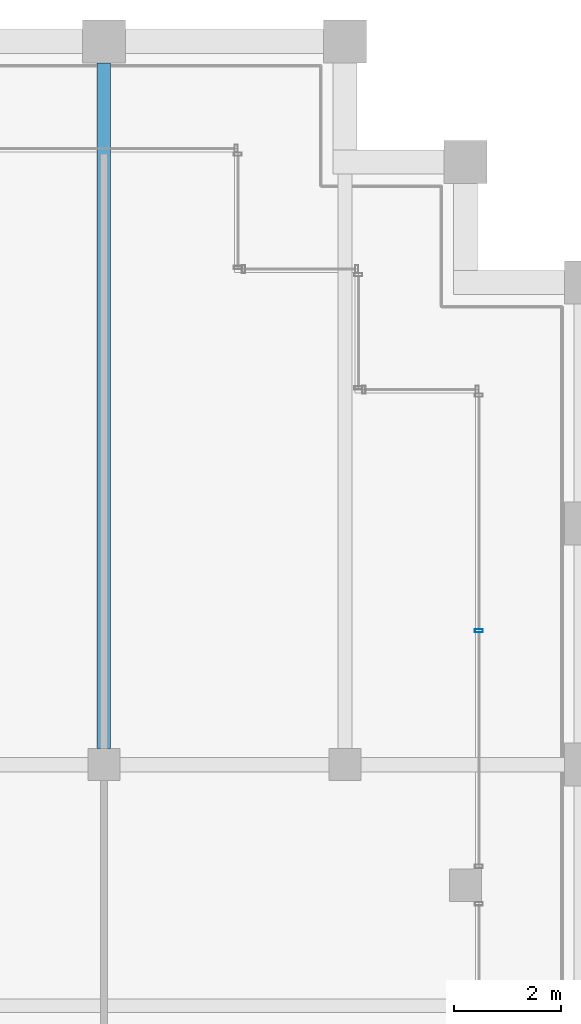
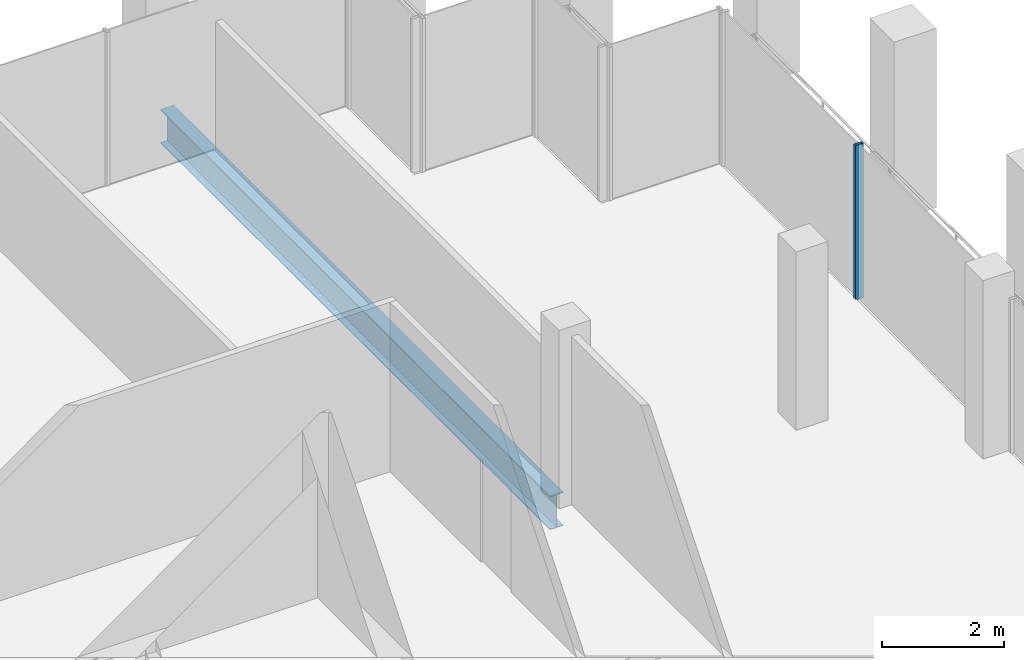
# One storey, part 24 of 30: 1 beam, 1 member, 1 element without a shape of its own.
"""IFC4 building model written with IfcOpenShell, lengths in metres."""

from ifc_helpers import new_model, si_unit, direction, frame, origin, origin_2d, place, context, subcontext, project, spatial, hollow_rectangle, i_section, extrude, material, material_profile, profile_set, type_object, element, aggregate, save


model = new_model("IFC4")

# Units and contexts
model_context = context("Model", 3, precision=1e-05, world=origin(), true_north=direction((0.0, 1.0)))
body_context = subcontext(model_context, "Body", "Model", "MODEL_VIEW")
ifc_project = project(units=[si_unit("LENGTHUNIT", "METRE"), si_unit("AREAUNIT", "SQUARE_METRE"), si_unit("VOLUMEUNIT", "CUBIC_METRE"), si_unit("PLANEANGLEUNIT", "RADIAN"), si_unit("MASSUNIT", "GRAM", prefix="KILO")], contexts=[model_context])

# Site, building, storey
site_placement = place(None, origin())
site = spatial("IfcSite", under=ifc_project, at=site_placement, CompositionType="ELEMENT")
building_placement = place(site_placement, origin())
building = spatial("IfcBuilding", under=site, at=building_placement, Name="Altepetl Exchange Towers", CompositionType="ELEMENT")
storey_placement = place(building_placement, frame((0.0, 0.0, 242.39990234375)))
storey = spatial("IfcBuildingStorey", under=building, at=storey_placement, Name="L62", CompositionType="ELEMENT", Elevation=242.39990234375)

# Beam
ifc_material_1 = material(Name="Steel S355", Category="steel")
ifc_material_profile_1 = material_profile(ifc_material_1, i_section(OverallWidth=0.2529296875, OverallDepth=0.677978515625, WebThickness=0.01171875, FlangeThickness=0.016357421875, at=origin_2d()), Name="W27X84")
ifc_profile_set_1 = profile_set([ifc_material_profile_1], Name="Steel S355")
beam_type = type_object("IfcBeamType", Name="Floor beam W27X84", PredefinedType="BEAM", material=ifc_profile_set_1)
beam_placement = place(storey_placement, frame((63.0, 58.800048828125, -0.489013671875), z_axis=(0.0, 1.0, 0.0), x_axis=(-1.0, 0.0, 0.0)))
element("IfcBeam", 1, at=beam_placement, inside=storey, type_object=beam_type, Name="bm:A:L62:004", PredefinedType="BEAM", context=body_context, shape_type="SweptSolid", body=[
    extrude(i_section(OverallWidth=0.2529296875, OverallDepth=0.677978515625, WebThickness=0.01171875, FlangeThickness=0.016357421875, at=origin_2d()), origin(), (0.0, 0.0, 1.0), 12.800048828125),
])

# Curtain wall, member
ifc_material_2 = material(Name="Aluminium 6063-T6 glazing", Category="aluminium")
curtain_wall_type = type_object("IfcCurtainWallType", Name="Loggia glazing system", PredefinedType="NOTDEFINED", material=ifc_material_2)
curtain_wall_placement = place(storey_placement, origin())
curtain_wall = element("IfcCurtainWall", 2, at=curtain_wall_placement, inside=storey, type_object=curtain_wall_type, Name="CW1 run", PredefinedType="NOTDEFINED")
ifc_material_3 = material(Name="Aluminium 6063-T6", Category="aluminium")
ifc_material_profile_2 = material_profile(ifc_material_3, hollow_rectangle(XDim=0.06005859375, YDim=0.14990234375, WallThickness=0.0029296875, at=origin_2d()), Name="Mullion 60x150 aluminium")
ifc_profile_set_2 = profile_set([ifc_material_profile_2], Name="Aluminium 6063-T6")
member_type = type_object("IfcMemberType", Name="Mullion 60x150 aluminium", PredefinedType="MULLION", material=ifc_profile_set_2)
member_placement = place(storey_placement, frame((70.0, 60.99755859375, 0.0), z_axis=(0.0, 0.0, 1.0), x_axis=(0.0, 1.0, 0.0)))
member = element("IfcMember", 3, at=member_placement, type_object=member_type, Name="MU1 mullion", PredefinedType="MULLION", context=body_context, shape_type="SweptSolid", body=[
    extrude(hollow_rectangle(XDim=0.06005859375, YDim=0.14990234375, WallThickness=0.0029296875, at=origin_2d()), origin(), (0.0, 0.0, 1.0), 3.10009765625),
])
aggregate(curtain_wall, [member])

save(model, "model.ifc")
